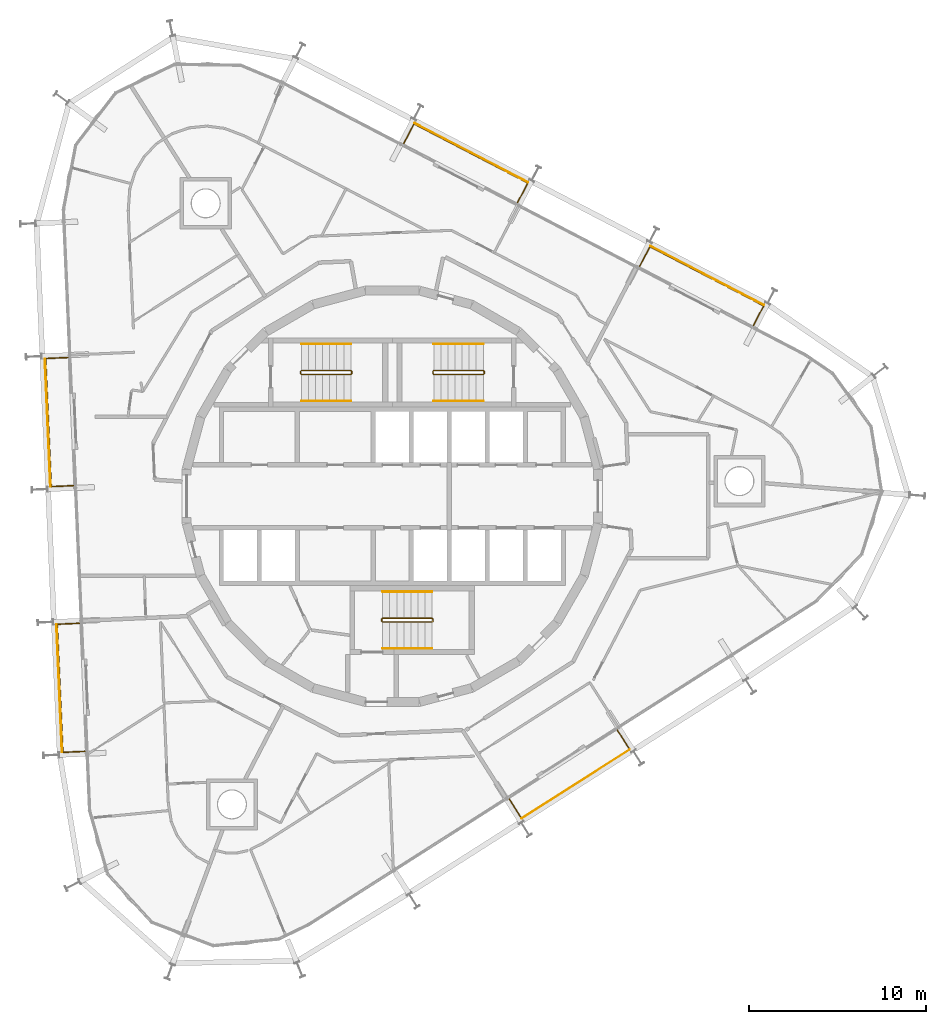
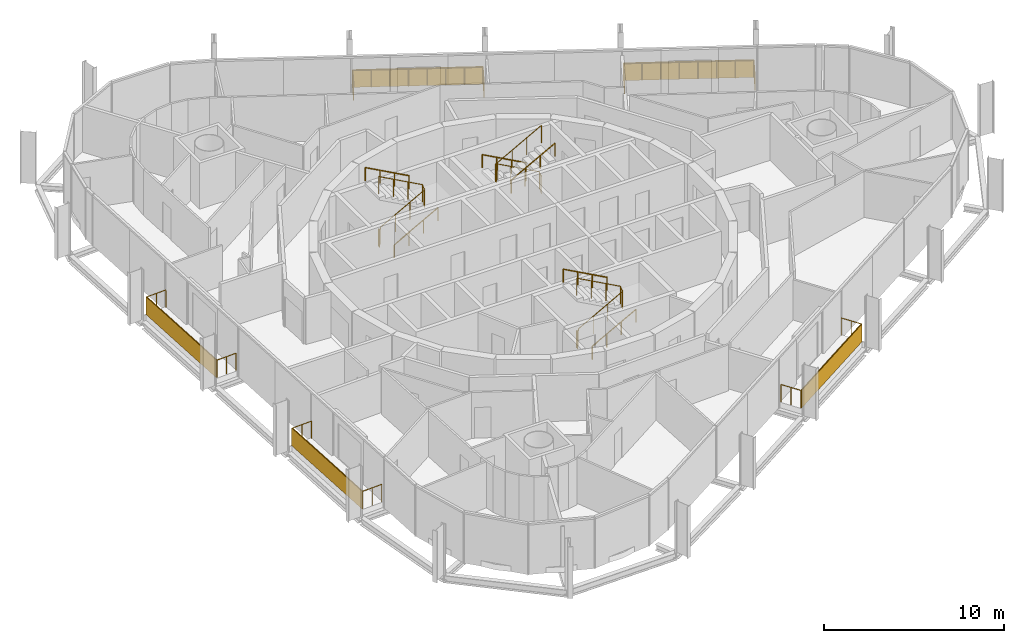
# One storey, part 18 of 18: 14 railings, 5 shading devices.
"""IFC4 building model written with IfcOpenShell, lengths in metres."""

from ifc_helpers import new_model, si_unit, direction, frame, origin, origin_2d, place, context, subcontext, project, spatial, rectangle, circle, extrude, material, layer, layer_set, type_object, element, save


model = new_model("IFC4")

# Units and contexts
model_context = context("Model", 3, precision=1e-05, world=origin(), true_north=direction((0.0, 1.0)))
body_context = subcontext(model_context, "Body", "Model", "MODEL_VIEW")
ifc_project = project(units=[si_unit("LENGTHUNIT", "METRE"), si_unit("AREAUNIT", "SQUARE_METRE"), si_unit("VOLUMEUNIT", "CUBIC_METRE"), si_unit("PLANEANGLEUNIT", "RADIAN"), si_unit("MASSUNIT", "GRAM", prefix="KILO")], contexts=[model_context])

# Site, building, storey
site_placement = place(None, origin())
site = spatial("IfcSite", under=ifc_project, at=site_placement, CompositionType="ELEMENT")
building_placement = place(site_placement, origin())
building = spatial("IfcBuilding", under=site, at=building_placement, Name="Spindle Arch Residences", CompositionType="ELEMENT")
storey_placement = place(building_placement, frame((0.0, 0.0, 230.199951171875)))
storey = spatial("IfcBuildingStorey", under=building, at=storey_placement, Name="L58", CompositionType="ELEMENT", Elevation=230.199951171875)

# Railings
ifc_material_1 = material(Name="Bronze anodised aluminium guard with glass infill", Category="aluminium")
railing_type_1 = type_object("IfcRailingType", Name="Balcony guard 1200", PredefinedType="GUARDRAIL", material=ifc_material_1)
railing_1_placement = place(storey_placement, frame((20.4482421875, 9.675537109375, 0.0)))
element("IfcRailing", 1, at=railing_1_placement, inside=storey, type_object=railing_type_1, Name="Guard L58 bay 6", PredefinedType="GUARDRAIL", context=body_context, shape_type="SweptSolid", body=[
    extrude(circle(Radius=0.02392578125, at=origin_2d()), frame((0.0, 0.0, 1.17578125), z_axis=(0.461684760331, 0.887044069975, 0.0), x_axis=(-0.887044069975, 0.461684760331, 0.0)), (0.0, 0.0, 1.0), 1.25),
    extrude(circle(Radius=0.02392578125, at=origin_2d()), frame((0.5771484375, 1.10888671875, 1.17578125), z_axis=(-0.887010793131, 0.461748690165, 0.0), x_axis=(-0.461748690165, -0.887010793131, 0.0)), (0.0, 0.0, 1.0), 7.260009765625),
    extrude(circle(Radius=0.02392578125, at=origin_2d()), frame((-5.862548828125, 4.461181640625, 1.17578125), z_axis=(-0.461764753675, -0.887002430811, 0.0), x_axis=(0.887002430811, -0.461764753675, 0.0)), (0.0, 0.0, 1.0), 1.249755859375),
    extrude(circle(Radius=0.02099609375, at=origin_2d()), origin(), (0.0, 0.0, 1.0), 1.15185546875),
    extrude(circle(Radius=0.02099609375, at=origin_2d()), frame((0.28857421875, 0.554443359375, 0.0)), (0.0, 0.0, 1.0), 1.15185546875),
    extrude(circle(Radius=0.02099609375, at=origin_2d()), frame((0.5771484375, 1.10888671875, 0.0)), (0.0, 0.0, 1.0), 1.15185546875),
    extrude(circle(Radius=0.02099609375, at=origin_2d()), frame((-0.3427734375, 1.587890625, 0.0)), (0.0, 0.0, 1.0), 1.15185546875),
    extrude(circle(Radius=0.02099609375, at=origin_2d()), frame((-1.2626953125, 2.066650390625, 0.0)), (0.0, 0.0, 1.0), 1.15185546875),
    extrude(circle(Radius=0.02099609375, at=origin_2d()), frame((-2.1826171875, 2.545654296875, 0.0)), (0.0, 0.0, 1.0), 1.15185546875),
    extrude(circle(Radius=0.02099609375, at=origin_2d()), frame((-3.102783203125, 3.0244140625, 0.0)), (0.0, 0.0, 1.0), 1.15185546875),
    extrude(circle(Radius=0.02099609375, at=origin_2d()), frame((-4.022705078125, 3.50341796875, 0.0)), (0.0, 0.0, 1.0), 1.15185546875),
    extrude(circle(Radius=0.02099609375, at=origin_2d()), frame((-4.942626953125, 3.982177734375, 0.0)), (0.0, 0.0, 1.0), 1.15185546875),
    extrude(circle(Radius=0.02099609375, at=origin_2d()), frame((-5.862548828125, 4.461181640625, 0.0)), (0.0, 0.0, 1.0), 1.15185546875),
    extrude(circle(Radius=0.02099609375, at=origin_2d()), frame((-6.151123046875, 3.90673828125, 0.0)), (0.0, 0.0, 1.0), 1.15185546875),
    extrude(circle(Radius=0.02099609375, at=origin_2d()), frame((-6.439697265625, 3.3525390625, 0.0)), (0.0, 0.0, 1.0), 1.15185546875),
])
railing_2_placement = place(storey_placement, frame((7.08984375, 16.629638671875, 0.0)))
element("IfcRailing", 2, at=railing_2_placement, inside=storey, type_object=railing_type_1, Name="Guard L58 bay 8", PredefinedType="GUARDRAIL", context=body_context, shape_type="SweptSolid", body=[
    extrude(circle(Radius=0.02392578125, at=origin_2d()), frame((0.0, 0.0, 1.17578125), z_axis=(0.461764753675, 0.887002430811, 0.0), x_axis=(-0.887002430811, 0.461764753675, 0.0)), (0.0, 0.0, 1.0), 1.249755859375),
    extrude(circle(Radius=0.02392578125, at=origin_2d()), frame((0.5771484375, 1.108642578125, 1.17578125), z_axis=(-0.886997019648, 0.461775147811, 0.0), x_axis=(-0.461775147811, -0.886997019648, 0.0)), (0.0, 0.0, 1.0), 7.260009765625),
    extrude(circle(Radius=0.02392578125, at=origin_2d()), frame((-5.862548828125, 4.461181640625, 1.17578125), z_axis=(-0.461838409324, -0.886964082516, 0.0), x_axis=(0.886964082516, -0.461838409324, 0.0)), (0.0, 0.0, 1.0), 1.250244140625),
    extrude(circle(Radius=0.02099609375, at=origin_2d()), origin(), (0.0, 0.0, 1.0), 1.15185546875),
    extrude(circle(Radius=0.02099609375, at=origin_2d()), frame((0.28857421875, 0.55419921875, 0.0)), (0.0, 0.0, 1.0), 1.15185546875),
    extrude(circle(Radius=0.02099609375, at=origin_2d()), frame((0.5771484375, 1.108642578125, 0.0)), (0.0, 0.0, 1.0), 1.15185546875),
    extrude(circle(Radius=0.02099609375, at=origin_2d()), frame((-0.3427734375, 1.587646484375, 0.0)), (0.0, 0.0, 1.0), 1.15185546875),
    extrude(circle(Radius=0.02099609375, at=origin_2d()), frame((-1.2626953125, 2.06640625, 0.0)), (0.0, 0.0, 1.0), 1.15185546875),
    extrude(circle(Radius=0.02099609375, at=origin_2d()), frame((-2.1826171875, 2.54541015625, 0.0)), (0.0, 0.0, 1.0), 1.15185546875),
    extrude(circle(Radius=0.02099609375, at=origin_2d()), frame((-3.102783203125, 3.0244140625, 0.0)), (0.0, 0.0, 1.0), 1.15185546875),
    extrude(circle(Radius=0.02099609375, at=origin_2d()), frame((-4.022705078125, 3.50341796875, 0.0)), (0.0, 0.0, 1.0), 1.15185546875),
    extrude(circle(Radius=0.02099609375, at=origin_2d()), frame((-4.942626953125, 3.982177734375, 0.0)), (0.0, 0.0, 1.0), 1.15185546875),
    extrude(circle(Radius=0.02099609375, at=origin_2d()), frame((-5.862548828125, 4.461181640625, 0.0)), (0.0, 0.0, 1.0), 1.15185546875),
    extrude(circle(Radius=0.02099609375, at=origin_2d()), frame((-6.1513671875, 3.90673828125, 0.0)), (0.0, 0.0, 1.0), 1.15185546875),
    extrude(circle(Radius=0.02099609375, at=origin_2d()), frame((-6.43994140625, 3.352294921875, 0.0)), (0.0, 0.0, 1.0), 1.15185546875),
])
railing_3_placement = place(storey_placement, frame((-18.384521484375, 7.855712890625, 0.0)))
element("IfcRailing", 3, at=railing_3_placement, inside=storey, type_object=railing_type_1, Name="Guard L58 bay 14", PredefinedType="GUARDRAIL", context=body_context, shape_type="SweptSolid", body=[
    extrude(circle(Radius=0.02392578125, at=origin_2d()), frame((0.0, 0.0, 1.17578125), z_axis=(-0.999042473849, -0.043750833654, 0.0), x_axis=(0.043750833654, -0.999042473849, 0.0)), (0.0, 0.0, 1.0), 1.25),
    extrude(circle(Radius=0.02392578125, at=origin_2d()), frame((-1.248779296875, -0.0546875, 1.17578125), z_axis=(0.043615260597, -0.999048401752, 0.0), x_axis=(0.999048401752, 0.043615260597, 0.0)), (0.0, 0.0, 1.0), 7.260009765625),
    extrude(circle(Radius=0.02392578125, at=origin_2d()), frame((-0.93212890625, -7.307861328125, 1.17578125), z_axis=(0.999042473849, 0.043750833654, 0.0), x_axis=(-0.043750833654, 0.999042473849, 0.0)), (0.0, 0.0, 1.0), 1.25),
    extrude(circle(Radius=0.02099609375, at=origin_2d()), origin(), (0.0, 0.0, 1.0), 1.15185546875),
    extrude(circle(Radius=0.02099609375, at=origin_2d()), frame((-0.62451171875, -0.02734375, 0.0)), (0.0, 0.0, 1.0), 1.15185546875),
    extrude(circle(Radius=0.02099609375, at=origin_2d()), frame((-1.248779296875, -0.0546875, 0.0)), (0.0, 0.0, 1.0), 1.15185546875),
    extrude(circle(Radius=0.02099609375, at=origin_2d()), frame((-1.20361328125, -1.0908203125, 0.0)), (0.0, 0.0, 1.0), 1.15185546875),
    extrude(circle(Radius=0.02099609375, at=origin_2d()), frame((-1.158203125, -2.126953125, 0.0)), (0.0, 0.0, 1.0), 1.15185546875),
    extrude(circle(Radius=0.02099609375, at=origin_2d()), frame((-1.113037109375, -3.1630859375, 0.0)), (0.0, 0.0, 1.0), 1.15185546875),
    extrude(circle(Radius=0.02099609375, at=origin_2d()), frame((-1.06787109375, -4.199462890625, 0.0)), (0.0, 0.0, 1.0), 1.15185546875),
    extrude(circle(Radius=0.02099609375, at=origin_2d()), frame((-1.022705078125, -5.235595703125, 0.0)), (0.0, 0.0, 1.0), 1.15185546875),
    extrude(circle(Radius=0.02099609375, at=origin_2d()), frame((-0.977294921875, -6.271728515625, 0.0)), (0.0, 0.0, 1.0), 1.15185546875),
    extrude(circle(Radius=0.02099609375, at=origin_2d()), frame((-0.93212890625, -7.307861328125, 0.0)), (0.0, 0.0, 1.0), 1.15185546875),
    extrude(circle(Radius=0.02099609375, at=origin_2d()), frame((-0.3076171875, -7.280517578125, 0.0)), (0.0, 0.0, 1.0), 1.15185546875),
    extrude(circle(Radius=0.02099609375, at=origin_2d()), frame((0.316650390625, -7.253173828125, 0.0)), (0.0, 0.0, 1.0), 1.15185546875),
])
railing_4_placement = place(storey_placement, frame((-17.7275390625, -7.190185546875, 0.0)))
element("IfcRailing", 4, at=railing_4_placement, inside=storey, type_object=railing_type_1, Name="Guard L58 bay 16", PredefinedType="GUARDRAIL", context=body_context, shape_type="SweptSolid", body=[
    extrude(circle(Radius=0.02392578125, at=origin_2d()), frame((0.0, 0.0, 1.17578125), z_axis=(-0.999050991967, -0.043555888799, 0.0), x_axis=(0.043555888799, -0.999050991967, 0.0)), (0.0, 0.0, 1.0), 1.25),
    extrude(circle(Radius=0.02392578125, at=origin_2d()), frame((-1.248779296875, -0.054443359375, 1.17578125), z_axis=(0.043615260597, -0.999048401752, 0.0), x_axis=(0.999048401752, 0.043615260597, 0.0)), (0.0, 0.0, 1.0), 7.260009765625),
    extrude(circle(Radius=0.02392578125, at=origin_2d()), frame((-0.93212890625, -7.3076171875, 1.17578125), z_axis=(0.999050991967, 0.043555888799, 0.0), x_axis=(-0.043555888799, 0.999050991967, 0.0)), (0.0, 0.0, 1.0), 1.25),
    extrude(circle(Radius=0.02099609375, at=origin_2d()), origin(), (0.0, 0.0, 1.0), 1.15185546875),
    extrude(circle(Radius=0.02099609375, at=origin_2d()), frame((-0.62451171875, -0.02734375, 0.0)), (0.0, 0.0, 1.0), 1.15185546875),
    extrude(circle(Radius=0.02099609375, at=origin_2d()), frame((-1.248779296875, -0.054443359375, 0.0)), (0.0, 0.0, 1.0), 1.15185546875),
    extrude(circle(Radius=0.02099609375, at=origin_2d()), frame((-1.20361328125, -1.090576171875, 0.0)), (0.0, 0.0, 1.0), 1.15185546875),
    extrude(circle(Radius=0.02099609375, at=origin_2d()), frame((-1.158203125, -2.126708984375, 0.0)), (0.0, 0.0, 1.0), 1.15185546875),
    extrude(circle(Radius=0.02099609375, at=origin_2d()), frame((-1.113037109375, -3.162841796875, 0.0)), (0.0, 0.0, 1.0), 1.15185546875),
    extrude(circle(Radius=0.02099609375, at=origin_2d()), frame((-1.06787109375, -4.19921875, 0.0)), (0.0, 0.0, 1.0), 1.15185546875),
    extrude(circle(Radius=0.02099609375, at=origin_2d()), frame((-1.022705078125, -5.2353515625, 0.0)), (0.0, 0.0, 1.0), 1.15185546875),
    extrude(circle(Radius=0.02099609375, at=origin_2d()), frame((-0.977294921875, -6.271484375, 0.0)), (0.0, 0.0, 1.0), 1.15185546875),
    extrude(circle(Radius=0.02099609375, at=origin_2d()), frame((-0.93212890625, -7.3076171875, 0.0)), (0.0, 0.0, 1.0), 1.15185546875),
    extrude(circle(Radius=0.02099609375, at=origin_2d()), frame((-0.3076171875, -7.2802734375, 0.0)), (0.0, 0.0, 1.0), 1.15185546875),
    extrude(circle(Radius=0.02099609375, at=origin_2d()), frame((0.316650390625, -7.253173828125, 0.0)), (0.0, 0.0, 1.0), 1.15185546875),
])
railing_5_placement = place(storey_placement, frame((6.623046875, -17.152099609375, 0.0)))
element("IfcRailing", 5, at=railing_5_placement, inside=storey, type_object=railing_type_1, Name="Guard L58 bay 22", PredefinedType="GUARDRAIL", context=body_context, shape_type="SweptSolid", body=[
    extrude(circle(Radius=0.02392578125, at=origin_2d()), frame((0.0, 0.0, 1.17578125), z_axis=(0.537317754526, -0.843379885148, 0.0), x_axis=(0.843379885148, 0.537317754526, 0.0)), (0.0, 0.0, 1.0), 1.25),
    extrude(circle(Radius=0.02392578125, at=origin_2d()), frame((0.671630859375, -1.05419921875, 1.17578125), z_axis=(0.843387211604, 0.537306254665, 0.0), x_axis=(-0.537306254665, 0.843387211604, 0.0)), (0.0, 0.0, 1.0), 7.260009765625),
    extrude(circle(Radius=0.02392578125, at=origin_2d()), frame((6.794677734375, 2.8466796875, 1.17578125), z_axis=(-0.537317754526, 0.843379885148, 0.0), x_axis=(-0.843379885148, -0.537317754526, 0.0)), (0.0, 0.0, 1.0), 1.25),
    extrude(circle(Radius=0.02099609375, at=origin_2d()), origin(), (0.0, 0.0, 1.0), 1.15185546875),
    extrude(circle(Radius=0.02099609375, at=origin_2d()), frame((0.3359375, -0.527099609375, 0.0)), (0.0, 0.0, 1.0), 1.15185546875),
    extrude(circle(Radius=0.02099609375, at=origin_2d()), frame((0.671630859375, -1.05419921875, 0.0)), (0.0, 0.0, 1.0), 1.15185546875),
    extrude(circle(Radius=0.02099609375, at=origin_2d()), frame((1.54638671875, -0.496826171875, 0.0)), (0.0, 0.0, 1.0), 1.15185546875),
    extrude(circle(Radius=0.02099609375, at=origin_2d()), frame((2.421142578125, 0.060302734375, 0.0)), (0.0, 0.0, 1.0), 1.15185546875),
    extrude(circle(Radius=0.02099609375, at=origin_2d()), frame((3.2958984375, 0.61767578125, 0.0)), (0.0, 0.0, 1.0), 1.15185546875),
    extrude(circle(Radius=0.02099609375, at=origin_2d()), frame((4.17041015625, 1.1748046875, 0.0)), (0.0, 0.0, 1.0), 1.15185546875),
    extrude(circle(Radius=0.02099609375, at=origin_2d()), frame((5.045166015625, 1.732177734375, 0.0)), (0.0, 0.0, 1.0), 1.15185546875),
    extrude(circle(Radius=0.02099609375, at=origin_2d()), frame((5.919921875, 2.289306640625, 0.0)), (0.0, 0.0, 1.0), 1.15185546875),
    extrude(circle(Radius=0.02099609375, at=origin_2d()), frame((6.794677734375, 2.8466796875, 0.0)), (0.0, 0.0, 1.0), 1.15185546875),
    extrude(circle(Radius=0.02099609375, at=origin_2d()), frame((6.458984375, 3.373779296875, 0.0)), (0.0, 0.0, 1.0), 1.15185546875),
    extrude(circle(Radius=0.02099609375, at=origin_2d()), frame((6.123046875, 3.90087890625, 0.0)), (0.0, 0.0, 1.0), 1.15185546875),
])

# Shading devices
ifc_material_2 = material(Name="Bronze perforated cobogo screen")
ifc_layer = layer(ifc_material_2, 0.0390625)
ifc_layer_set = layer_set([ifc_layer], Name="Cobogo screen 1200")
shading_device_type = type_object("IfcShadingDeviceType", Name="Cobogo screen 1200", PredefinedType="USERDEFINED", material=ifc_layer_set)
for number, where, z_axis, x_axis, name in (
    (6, (17.82421875, 12.49658203125, 0.0), (0.0, 0.0, 1.0), (-0.887010833178, 0.461748613235, 0.0), "Cobogo screen L58 bay 6"),
    (7, (4.4658203125, 19.450439453125, 0.0), (0.0, 0.0, 1.0), (-0.887010833178, 0.461748613235, 0.0), "Cobogo screen L58 bay 8"),
    (8, (-19.515380859375, 4.1728515625, 0.0), (0.0, 0.0, 1.0), (0.043619387365, -0.999048221582, 0.0), "Cobogo screen L58 bay 14"),
    (9, (-18.858642578125, -10.873046875, 0.0), (0.0, 0.0, 1.0), (0.043619387365, -0.999048221582, 0.0), "Cobogo screen L58 bay 16"),
    (10, (10.3779296875, -16.2900390625, 0.0), (0.0, 0.0, 1.0), (0.843391445813, 0.537299608347, 0.0), "Cobogo screen L58 bay 22"),
):
    element("IfcShadingDevice", number, at=place(storey_placement, frame(where, z_axis=z_axis, x_axis=x_axis)), inside=storey, type_object=shading_device_type, Name=name, ObjectType="SCREEN", PredefinedType="USERDEFINED", context=body_context, shape_type="SweptSolid", body=[
        extrude(rectangle(XDim=7.260009765625, YDim=0.0390625, at=origin_2d()), origin(), (0.0, 0.0, 1.0), 1.199951171875),
    ])

# Railings
ifc_material_3 = material(Name="Steel, painted", Category="steel")
railing_type_2 = type_object("IfcRailingType", Name="Stair guard 1100", PredefinedType="GUARDRAIL", material=ifc_material_3)
railing_6_placement = place(storey_placement, frame((5.14990234375, 6.89990234375, 3.5)))
element("IfcRailing", 11, at=railing_6_placement, inside=storey, type_object=railing_type_2, Name="L58 ST1 stair guard 1", PredefinedType="GUARDRAIL", context=body_context, shape_type="SweptSolid", body=[
    extrude(circle(Radius=0.02392578125, at=origin_2d()), frame((0.0, 0.0, 1.17578125), z_axis=(-0.877357048833, 0.0, -0.479838106931), x_axis=(0.0, -1.0, 0.0)), (0.0, 0.0, 1.0), 3.191162109375),
    extrude(circle(Radius=0.02392578125, at=origin_2d()), frame((-2.7998046875, 0.0, -0.35546875), z_axis=(-0.217683172539, 0.217683172539, -0.951434744366), x_axis=(-0.707106781187, -0.707106781187, 0.0)), (0.0, 0.0, 1.0), 0.22998046875),
    extrude(circle(Radius=0.02392578125, at=origin_2d()), frame((-2.849853515625, 0.050048828125, -0.57421875), z_axis=(0.0, 1.0, 0.0), x_axis=(-1.0, 0.0, 0.0)), (0.0, 0.0, 1.0), 0.1201171875),
    extrude(circle(Radius=0.02392578125, at=origin_2d()), frame((-2.849853515625, 0.170166015625, -0.57421875), z_axis=(0.707106781187, 0.707106781187, 0.0), x_axis=(-0.707106781187, 0.707106781187, 0.0)), (0.0, 0.0, 1.0), 0.07080078125),
    extrude(circle(Radius=0.02392578125, at=origin_2d()), frame((-2.7998046875, 0.22021484375, -0.57421875), z_axis=(0.877357048833, 0.0, -0.479838106931), x_axis=(0.0, 1.0, 0.0)), (0.0, 0.0, 1.0), 3.191162109375),
    extrude(circle(Radius=0.02392578125, at=origin_2d()), frame((0.0, 0.22021484375, -2.10546875), z_axis=(0.217683172539, -0.217683172539, -0.951434744366), x_axis=(0.707106781187, 0.707106781187, 0.0)), (0.0, 0.0, 1.0), 0.22998046875),
    extrude(circle(Radius=0.02392578125, at=origin_2d()), frame((0.050048828125, 0.170166015625, -2.32421875), z_axis=(0.0, -1.0, 0.0), x_axis=(1.0, 0.0, 0.0)), (0.0, 0.0, 1.0), 0.1201171875),
    extrude(circle(Radius=0.02099609375, at=origin_2d()), origin(), (0.0, 0.0, 1.0), 1.15185546875),
    extrude(circle(Radius=0.02099609375, at=origin_2d()), frame((-0.933349609375, 0.0, -0.510498046875)), (0.0, 0.0, 1.0), 1.15185546875),
    extrude(circle(Radius=0.02099609375, at=origin_2d()), frame((-1.866455078125, 0.0, -1.020751953125)), (0.0, 0.0, 1.0), 1.15185546875),
    extrude(circle(Radius=0.02099609375, at=origin_2d()), frame((-2.7998046875, 0.0, -1.53125)), (0.0, 0.0, 1.0), 1.15185546875),
    extrude(circle(Radius=0.02099609375, at=origin_2d()), frame((-2.849853515625, 0.050048828125, -1.75)), (0.0, 0.0, 1.0), 1.15185546875),
    extrude(circle(Radius=0.02099609375, at=origin_2d()), frame((-2.849853515625, 0.170166015625, -1.75)), (0.0, 0.0, 1.0), 1.15185546875),
    extrude(circle(Radius=0.02099609375, at=origin_2d()), frame((-2.7998046875, 0.22021484375, -1.75)), (0.0, 0.0, 1.0), 1.15185546875),
    extrude(circle(Radius=0.02099609375, at=origin_2d()), frame((-1.866455078125, 0.22021484375, -2.260498046875)), (0.0, 0.0, 1.0), 1.15185546875),
    extrude(circle(Radius=0.02099609375, at=origin_2d()), frame((-0.933349609375, 0.22021484375, -2.770751953125)), (0.0, 0.0, 1.0), 1.15185546875),
    extrude(circle(Radius=0.02099609375, at=origin_2d()), frame((0.0, 0.22021484375, -3.28125)), (0.0, 0.0, 1.0), 1.15185546875),
    extrude(circle(Radius=0.02099609375, at=origin_2d()), frame((0.050048828125, 0.170166015625, -3.5)), (0.0, 0.0, 1.0), 1.15185546875),
    extrude(circle(Radius=0.02099609375, at=origin_2d()), frame((0.050048828125, 0.050048828125, -3.5)), (0.0, 0.0, 1.0), 1.15185546875),
])
railing_7_placement = place(storey_placement, frame((-5.14990234375, 7.1201171875, 3.5)))
element("IfcRailing", 12, at=railing_7_placement, inside=storey, type_object=railing_type_2, Name="L58 ST2 stair guard 1", PredefinedType="GUARDRAIL", context=body_context, shape_type="SweptSolid", body=[
    extrude(circle(Radius=0.02392578125, at=origin_2d()), frame((0.0, 0.0, 1.17578125), z_axis=(0.877357048833, 0.0, -0.479838106931), x_axis=(0.0, 1.0, 0.0)), (0.0, 0.0, 1.0), 3.191162109375),
    extrude(circle(Radius=0.02392578125, at=origin_2d()), frame((2.7998046875, 0.0, -0.35546875), z_axis=(0.217683172539, -0.217683172539, -0.951434744366), x_axis=(0.707106781187, 0.707106781187, 0.0)), (0.0, 0.0, 1.0), 0.22998046875),
    extrude(circle(Radius=0.02392578125, at=origin_2d()), frame((2.849853515625, -0.050048828125, -0.57421875), z_axis=(0.0, -1.0, 0.0), x_axis=(1.0, 0.0, 0.0)), (0.0, 0.0, 1.0), 0.1201171875),
    extrude(circle(Radius=0.02392578125, at=origin_2d()), frame((2.849853515625, -0.170166015625, -0.57421875), z_axis=(-0.707106781187, -0.707106781187, 0.0), x_axis=(0.707106781187, -0.707106781187, 0.0)), (0.0, 0.0, 1.0), 0.07080078125),
    extrude(circle(Radius=0.02392578125, at=origin_2d()), frame((2.7998046875, -0.22021484375, -0.57421875), z_axis=(-0.877357048833, 0.0, -0.479838106931), x_axis=(0.0, -1.0, 0.0)), (0.0, 0.0, 1.0), 3.191162109375),
    extrude(circle(Radius=0.02392578125, at=origin_2d()), frame((0.0, -0.22021484375, -2.10546875), z_axis=(-0.217683172539, 0.217683172539, -0.951434744366), x_axis=(-0.707106781187, -0.707106781187, 0.0)), (0.0, 0.0, 1.0), 0.22998046875),
    extrude(circle(Radius=0.02392578125, at=origin_2d()), frame((-0.050048828125, -0.170166015625, -2.32421875), z_axis=(0.0, 1.0, 0.0), x_axis=(-1.0, 0.0, 0.0)), (0.0, 0.0, 1.0), 0.1201171875),
    extrude(circle(Radius=0.02099609375, at=origin_2d()), origin(), (0.0, 0.0, 1.0), 1.15185546875),
    extrude(circle(Radius=0.02099609375, at=origin_2d()), frame((0.933349609375, 0.0, -0.510498046875)), (0.0, 0.0, 1.0), 1.15185546875),
    extrude(circle(Radius=0.02099609375, at=origin_2d()), frame((1.866455078125, 0.0, -1.020751953125)), (0.0, 0.0, 1.0), 1.15185546875),
    extrude(circle(Radius=0.02099609375, at=origin_2d()), frame((2.7998046875, 0.0, -1.53125)), (0.0, 0.0, 1.0), 1.15185546875),
    extrude(circle(Radius=0.02099609375, at=origin_2d()), frame((2.849853515625, -0.050048828125, -1.75)), (0.0, 0.0, 1.0), 1.15185546875),
    extrude(circle(Radius=0.02099609375, at=origin_2d()), frame((2.849853515625, -0.170166015625, -1.75)), (0.0, 0.0, 1.0), 1.15185546875),
    extrude(circle(Radius=0.02099609375, at=origin_2d()), frame((2.7998046875, -0.22021484375, -1.75)), (0.0, 0.0, 1.0), 1.15185546875),
    extrude(circle(Radius=0.02099609375, at=origin_2d()), frame((1.866455078125, -0.22021484375, -2.260498046875)), (0.0, 0.0, 1.0), 1.15185546875),
    extrude(circle(Radius=0.02099609375, at=origin_2d()), frame((0.933349609375, -0.22021484375, -2.770751953125)), (0.0, 0.0, 1.0), 1.15185546875),
    extrude(circle(Radius=0.02099609375, at=origin_2d()), frame((0.0, -0.22021484375, -3.28125)), (0.0, 0.0, 1.0), 1.15185546875),
    extrude(circle(Radius=0.02099609375, at=origin_2d()), frame((-0.050048828125, -0.170166015625, -3.5)), (0.0, 0.0, 1.0), 1.15185546875),
    extrude(circle(Radius=0.02099609375, at=origin_2d()), frame((-0.050048828125, -0.050048828125, -3.5)), (0.0, 0.0, 1.0), 1.15185546875),
])
railing_8_placement = place(storey_placement, frame((-0.550048828125, -6.89990234375, 3.5)))
element("IfcRailing", 13, at=railing_8_placement, inside=storey, type_object=railing_type_2, Name="L58 ST3 stair guard 1", PredefinedType="GUARDRAIL", context=body_context, shape_type="SweptSolid", body=[
    extrude(circle(Radius=0.02392578125, at=origin_2d()), frame((0.0, 0.0, 1.17578125), z_axis=(0.877374661878, 0.0, -0.479805901063), x_axis=(0.0, 1.0, 0.0)), (0.0, 0.0, 1.0), 3.19140625),
    extrude(circle(Radius=0.02392578125, at=origin_2d()), frame((2.800048828125, 0.0, -0.35546875), z_axis=(0.217683172539, -0.217683172539, -0.951434744366), x_axis=(0.707106781187, 0.707106781187, 0.0)), (0.0, 0.0, 1.0), 0.22998046875),
    extrude(circle(Radius=0.02392578125, at=origin_2d()), frame((2.85009765625, -0.050048828125, -0.57421875), z_axis=(0.0, -1.0, 0.0), x_axis=(1.0, 0.0, 0.0)), (0.0, 0.0, 1.0), 0.1201171875),
    extrude(circle(Radius=0.02392578125, at=origin_2d()), frame((2.85009765625, -0.170166015625, -0.57421875), z_axis=(-0.707106781187, -0.707106781187, 0.0), x_axis=(0.707106781187, -0.707106781187, 0.0)), (0.0, 0.0, 1.0), 0.07080078125),
    extrude(circle(Radius=0.02392578125, at=origin_2d()), frame((2.800048828125, -0.22021484375, -0.57421875), z_axis=(-0.877374661878, 0.0, -0.479805901063), x_axis=(0.0, -1.0, 0.0)), (0.0, 0.0, 1.0), 3.19140625),
    extrude(circle(Radius=0.02392578125, at=origin_2d()), frame((0.0, -0.22021484375, -2.10546875), z_axis=(-0.217683172539, 0.217683172539, -0.951434744366), x_axis=(-0.707106781187, -0.707106781187, 0.0)), (0.0, 0.0, 1.0), 0.22998046875),
    extrude(circle(Radius=0.02392578125, at=origin_2d()), frame((-0.050048828125, -0.170166015625, -2.32421875), z_axis=(0.0, 1.0, 0.0), x_axis=(-1.0, 0.0, 0.0)), (0.0, 0.0, 1.0), 0.1201171875),
    extrude(circle(Radius=0.02099609375, at=origin_2d()), origin(), (0.0, 0.0, 1.0), 1.15185546875),
    extrude(circle(Radius=0.02099609375, at=origin_2d()), frame((0.933349609375, 0.0, -0.510498046875)), (0.0, 0.0, 1.0), 1.15185546875),
    extrude(circle(Radius=0.02099609375, at=origin_2d()), frame((1.86669921875, 0.0, -1.020751953125)), (0.0, 0.0, 1.0), 1.15185546875),
    extrude(circle(Radius=0.02099609375, at=origin_2d()), frame((2.800048828125, 0.0, -1.53125)), (0.0, 0.0, 1.0), 1.15185546875),
    extrude(circle(Radius=0.02099609375, at=origin_2d()), frame((2.85009765625, -0.050048828125, -1.75)), (0.0, 0.0, 1.0), 1.15185546875),
    extrude(circle(Radius=0.02099609375, at=origin_2d()), frame((2.85009765625, -0.170166015625, -1.75)), (0.0, 0.0, 1.0), 1.15185546875),
    extrude(circle(Radius=0.02099609375, at=origin_2d()), frame((2.800048828125, -0.22021484375, -1.75)), (0.0, 0.0, 1.0), 1.15185546875),
    extrude(circle(Radius=0.02099609375, at=origin_2d()), frame((1.86669921875, -0.22021484375, -2.260498046875)), (0.0, 0.0, 1.0), 1.15185546875),
    extrude(circle(Radius=0.02099609375, at=origin_2d()), frame((0.933349609375, -0.22021484375, -2.770751953125)), (0.0, 0.0, 1.0), 1.15185546875),
    extrude(circle(Radius=0.02099609375, at=origin_2d()), frame((0.0, -0.22021484375, -3.28125)), (0.0, 0.0, 1.0), 1.15185546875),
    extrude(circle(Radius=0.02099609375, at=origin_2d()), frame((-0.050048828125, -0.170166015625, -3.5)), (0.0, 0.0, 1.0), 1.15185546875),
    extrude(circle(Radius=0.02099609375, at=origin_2d()), frame((-0.050048828125, -0.050048828125, -3.5)), (0.0, 0.0, 1.0), 1.15185546875),
])
ifc_material_4 = material(Name="Steel, painted", Category="steel")
railing_type_3 = type_object("IfcRailingType", Name="Stair handrail 900", PredefinedType="HANDRAIL", material=ifc_material_4)
railing_9_placement = place(storey_placement, frame((5.14990234375, 8.6201171875, 0.21875)))
element("IfcRailing", 14, at=railing_9_placement, inside=storey, type_object=railing_type_3, Name="L58 ST1 stair handrail 1", PredefinedType="HANDRAIL", context=body_context, shape_type="SweptSolid", body=[
    extrude(circle(Radius=0.02392578125, at=origin_2d()), frame((0.0, 0.0, 0.8759765625), z_axis=(-0.877357048833, 0.0, 0.479838106931), x_axis=(0.0, -1.0, 0.0)), (0.0, 0.0, 1.0), 3.191162109375),
    extrude(circle(Radius=0.02099609375, at=origin_2d()), origin(), (0.0, 0.0, 1.0), 0.851806640625),
    extrude(circle(Radius=0.02099609375, at=origin_2d()), frame((-0.933349609375, 0.0, 0.510498046875)), (0.0, 0.0, 1.0), 0.851806640625),
    extrude(circle(Radius=0.02099609375, at=origin_2d()), frame((-1.866455078125, 0.0, 1.020751953125)), (0.0, 0.0, 1.0), 0.851806640625),
    extrude(circle(Radius=0.02099609375, at=origin_2d()), frame((-2.7998046875, 0.0, 1.53125)), (0.0, 0.0, 1.0), 0.851806640625),
])
for number, where, name in (
    (15, (2.35009765625, 5.39990234375, 1.96875), "L58 ST1 stair handrail 2"),
    (16, (-5.14990234375, 5.39990234375, 0.21875), "L58 ST2 stair handrail 1"),
):
    element("IfcRailing", number, at=place(storey_placement, frame(where)), inside=storey, type_object=railing_type_3, Name=name, PredefinedType="HANDRAIL", context=body_context, shape_type="SweptSolid", body=[
        extrude(circle(Radius=0.02392578125, at=origin_2d()), frame((0.0, 0.0, 0.8759765625), z_axis=(0.877357048833, 0.0, 0.479838106931), x_axis=(0.0, 1.0, 0.0)), (0.0, 0.0, 1.0), 3.191162109375),
        extrude(circle(Radius=0.02099609375, at=origin_2d()), origin(), (0.0, 0.0, 1.0), 0.851806640625),
        extrude(circle(Radius=0.02099609375, at=origin_2d()), frame((0.933349609375, 0.0, 0.510498046875)), (0.0, 0.0, 1.0), 0.851806640625),
        extrude(circle(Radius=0.02099609375, at=origin_2d()), frame((1.866455078125, 0.0, 1.020751953125)), (0.0, 0.0, 1.0), 0.851806640625),
        extrude(circle(Radius=0.02099609375, at=origin_2d()), frame((2.7998046875, 0.0, 1.53125)), (0.0, 0.0, 1.0), 0.851806640625),
    ])
railing_10_placement = place(storey_placement, frame((-2.35009765625, 8.6201171875, 1.96875)))
element("IfcRailing", 17, at=railing_10_placement, inside=storey, type_object=railing_type_3, Name="L58 ST2 stair handrail 2", PredefinedType="HANDRAIL", context=body_context, shape_type="SweptSolid", body=[
    extrude(circle(Radius=0.02392578125, at=origin_2d()), frame((0.0, 0.0, 0.8759765625), z_axis=(-0.877357048833, 0.0, 0.479838106931), x_axis=(0.0, -1.0, 0.0)), (0.0, 0.0, 1.0), 3.191162109375),
    extrude(circle(Radius=0.02099609375, at=origin_2d()), origin(), (0.0, 0.0, 1.0), 0.851806640625),
    extrude(circle(Radius=0.02099609375, at=origin_2d()), frame((-0.933349609375, 0.0, 0.510498046875)), (0.0, 0.0, 1.0), 0.851806640625),
    extrude(circle(Radius=0.02099609375, at=origin_2d()), frame((-1.866455078125, 0.0, 1.020751953125)), (0.0, 0.0, 1.0), 0.851806640625),
    extrude(circle(Radius=0.02099609375, at=origin_2d()), frame((-2.7998046875, 0.0, 1.53125)), (0.0, 0.0, 1.0), 0.851806640625),
])
railing_11_placement = place(storey_placement, frame((-0.550048828125, -8.6201171875, 0.21875)))
element("IfcRailing", 18, at=railing_11_placement, inside=storey, type_object=railing_type_3, Name="L58 ST3 stair handrail 1", PredefinedType="HANDRAIL", context=body_context, shape_type="SweptSolid", body=[
    extrude(circle(Radius=0.02392578125, at=origin_2d()), frame((0.0, 0.0, 0.8759765625), z_axis=(0.877374661878, 0.0, 0.479805901063), x_axis=(0.0, 1.0, 0.0)), (0.0, 0.0, 1.0), 3.19140625),
    extrude(circle(Radius=0.02099609375, at=origin_2d()), origin(), (0.0, 0.0, 1.0), 0.851806640625),
    extrude(circle(Radius=0.02099609375, at=origin_2d()), frame((0.933349609375, 0.0, 0.510498046875)), (0.0, 0.0, 1.0), 0.851806640625),
    extrude(circle(Radius=0.02099609375, at=origin_2d()), frame((1.86669921875, 0.0, 1.020751953125)), (0.0, 0.0, 1.0), 0.851806640625),
    extrude(circle(Radius=0.02099609375, at=origin_2d()), frame((2.800048828125, 0.0, 1.53125)), (0.0, 0.0, 1.0), 0.851806640625),
])
railing_12_placement = place(storey_placement, frame((2.25, -5.39990234375, 1.96875)))
element("IfcRailing", 19, at=railing_12_placement, inside=storey, type_object=railing_type_3, Name="L58 ST3 stair handrail 2", PredefinedType="HANDRAIL", context=body_context, shape_type="SweptSolid", body=[
    extrude(circle(Radius=0.02392578125, at=origin_2d()), frame((0.0, 0.0, 0.8759765625), z_axis=(-0.877374661878, 0.0, 0.479805901063), x_axis=(0.0, -1.0, 0.0)), (0.0, 0.0, 1.0), 3.19140625),
    extrude(circle(Radius=0.02099609375, at=origin_2d()), origin(), (0.0, 0.0, 1.0), 0.851806640625),
    extrude(circle(Radius=0.02099609375, at=origin_2d()), frame((-0.933349609375, 0.0, 0.510498046875)), (0.0, 0.0, 1.0), 0.851806640625),
    extrude(circle(Radius=0.02099609375, at=origin_2d()), frame((-1.86669921875, 0.0, 1.020751953125)), (0.0, 0.0, 1.0), 0.851806640625),
    extrude(circle(Radius=0.02099609375, at=origin_2d()), frame((-2.800048828125, 0.0, 1.53125)), (0.0, 0.0, 1.0), 0.851806640625),
])

save(model, "model.ifc")
